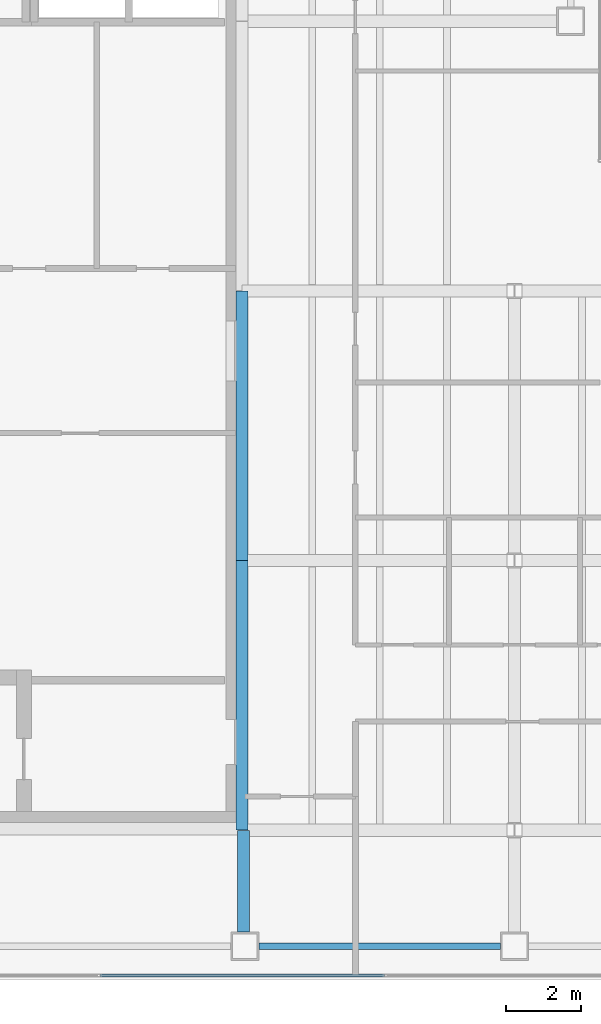
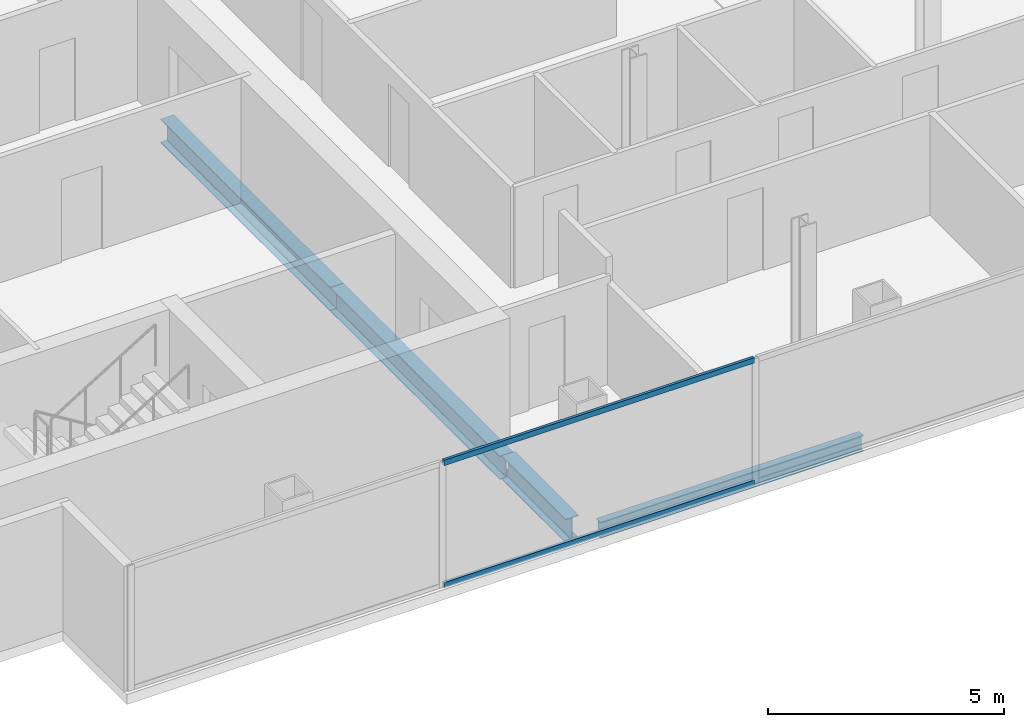
# One storey, part 3 of 23: 4 beams, 2 members, 1 element without a shape of its own.
"""IFC4 building model written with IfcOpenShell, lengths in metres."""

from ifc_helpers import new_model, si_unit, direction, frame, origin, origin_2d, place, context, subcontext, project, spatial, hollow_rectangle, i_section, extrude, material, material_profile, profile_set, type_object, element, aggregate, save


model = new_model("IFC4")

# Units and contexts
model_context = context("Model", 3, precision=1e-05, world=origin(), true_north=direction((0.0, 1.0)))
body_context = subcontext(model_context, "Body", "Model", "MODEL_VIEW")
ifc_project = project(units=[si_unit("LENGTHUNIT", "METRE"), si_unit("AREAUNIT", "SQUARE_METRE"), si_unit("VOLUMEUNIT", "CUBIC_METRE"), si_unit("PLANEANGLEUNIT", "RADIAN"), si_unit("MASSUNIT", "GRAM", prefix="KILO")], contexts=[model_context])

# Site, building, storey
site_placement = place(None, origin())
site = spatial("IfcSite", under=ifc_project, at=site_placement, CompositionType="ELEMENT")
building_placement = place(site_placement, origin())
building = spatial("IfcBuilding", under=site, at=building_placement, Name="Cobrela Telecom Tower", CompositionType="ELEMENT")
storey_placement = place(building_placement, frame((0.0, 0.0, 225.75)))
storey = spatial("IfcBuildingStorey", under=building, at=storey_placement, Name="L58", CompositionType="ELEMENT", Elevation=225.75)

# Beams
ifc_material_1 = material(Name="Steel ASTM A992 Grade 50", Category="steel")
ifc_material_profile_1 = material_profile(ifc_material_1, i_section(OverallWidth=0.324951171875, OverallDepth=0.612060546875, WebThickness=0.0126953125, FlangeThickness=0.01904296875, FilletRadius=0.014892578125, at=origin_2d()), Name="W24X104")
ifc_profile_set_1 = profile_set([ifc_material_profile_1], Name="Steel ASTM A992 Grade 50")
beam_type_1 = type_object("IfcBeamType", Name="BM-GIRD-07", PredefinedType="USERDEFINED", material=ifc_profile_set_1)
beam_1_placement = place(storey_placement, frame((14.360107421875, 4.47998046875, -0.56591796875), z_axis=(0.0, 1.0, 0.0), x_axis=(-1.0, 0.0, 0.0)))
element("IfcBeam", 1, at=beam_1_placement, inside=storey, type_object=beam_type_1, Name="L58 Primary Girder Y26", ObjectType="GIRDER", PredefinedType="USERDEFINED", context=body_context, shape_type="SweptSolid", body=[
    extrude(i_section(OverallWidth=0.324951171875, OverallDepth=0.612060546875, WebThickness=0.0126953125, FlangeThickness=0.01904296875, FilletRadius=0.014892578125, at=origin_2d()), origin(), (0.0, 0.0, 1.0), 2.715087890625),
])
for number, where, z_axis, x_axis, name in (
    (2, (14.320068359375, 7.205078125, -0.56591796875), (0.0, 1.0, 0.0), (-1.0, 0.0, 0.0), "L58 Primary Girder Y27"),
    (3, (14.320068359375, 14.405029296875, -0.56591796875), (0.0, 1.0, 0.0), (-1.0, 0.0, 0.0), "L58 Primary Girder Y28"),
):
    element("IfcBeam", number, at=place(storey_placement, frame(where, z_axis=z_axis, x_axis=x_axis)), inside=storey, type_object=beam_type_1, Name=name, ObjectType="GIRDER", PredefinedType="USERDEFINED", context=body_context, shape_type="SweptSolid", body=[
        extrude(i_section(OverallWidth=0.324951171875, OverallDepth=0.612060546875, WebThickness=0.0126953125, FlangeThickness=0.01904296875, FilletRadius=0.014892578125, at=origin_2d()), origin(), (0.0, 0.0, 1.0), 7.18994140625),
    ])
ifc_material_profile_2 = material_profile(ifc_material_1, i_section(OverallWidth=0.179931640625, OverallDepth=0.4169921875, WebThickness=0.010986328125, FlangeThickness=0.01806640625, FilletRadius=0.011962890625, at=origin_2d()), Name="W16X57")
ifc_profile_set_2 = profile_set([ifc_material_profile_2], Name="Steel ASTM A992 Grade 50")
beam_type_2 = type_object("IfcBeamType", Name="BM-SPAND-06", PredefinedType="SPANDREL", material=ifc_profile_set_2)
beam_2_placement = place(storey_placement, frame((14.780029296875, 4.10009765625, -0.468505859375), z_axis=(1.0, 0.0, 0.0), x_axis=(0.0, 1.0, 0.0)))
element("IfcBeam", 4, at=beam_2_placement, inside=storey, type_object=beam_type_2, Name="L58 Perimeter Spandrel X02", PredefinedType="SPANDREL", context=body_context, shape_type="SweptSolid", body=[
    extrude(i_section(OverallWidth=0.179931640625, OverallDepth=0.4169921875, WebThickness=0.010986328125, FlangeThickness=0.01806640625, FilletRadius=0.011962890625, at=origin_2d()), origin(), (0.0, 0.0, 1.0), 6.43994140625),
])

# Curtain wall, members
ifc_material_2 = material(Name="Anodized Bronze Aluminium 6063-T6", Category="aluminium")
curtain_wall_type = type_object("IfcCurtainWallType", Name="CW-SYS-OFF-LO", PredefinedType="USERDEFINED", material=ifc_material_2)
curtain_wall_placement = place(storey_placement, origin())
curtain_wall = element("IfcCurtainWall", 5, at=curtain_wall_placement, inside=storey, type_object=curtain_wall_type, Name="L58 Unitised Bronze Curtain Wall 17", ObjectType="UNITISED CURTAIN WALL", PredefinedType="USERDEFINED")
ifc_material_profile_3 = material_profile(ifc_material_2, hollow_rectangle(XDim=0.070068359375, YDim=0.139892578125, WallThickness=0.00390625, at=origin_2d()), Name="ALU 70x140x4")
ifc_profile_set_3 = profile_set([ifc_material_profile_3], Name="Anodized Bronze Aluminium 6063-T6")
member_type = type_object("IfcMemberType", Name="CW-SYS-OFF-LO-TRN", PredefinedType="USERDEFINED", material=ifc_profile_set_3)
member_1_placement = place(storey_placement, frame((18.131103515625, 3.320068359375, 0.034912109375), z_axis=(-1.0, 0.0, 0.0), x_axis=(0.0, -1.0, 0.0)))
member_1 = element("IfcMember", 6, at=member_1_placement, type_object=member_type, Name="CW-OFF-LO transom 4.1", ObjectType="TRANSOM", PredefinedType="USERDEFINED", context=body_context, shape_type="SweptSolid", body=[
    extrude(hollow_rectangle(XDim=0.070068359375, YDim=0.139892578125, WallThickness=0.00390625, at=origin_2d()), origin(), (0.0, 0.0, 1.0), 7.59814453125),
])
member_2_placement = place(storey_placement, frame((18.131103515625, 3.320068359375, 3.205078125), z_axis=(-1.0, 0.0, 0.0), x_axis=(0.0, -1.0, 0.0)))
member_2 = element("IfcMember", 7, at=member_2_placement, type_object=member_type, Name="CW-OFF-LO transom 4.2", ObjectType="TRANSOM", PredefinedType="USERDEFINED", context=body_context, shape_type="SweptSolid", body=[
    extrude(hollow_rectangle(XDim=0.070068359375, YDim=0.139892578125, WallThickness=0.00390625, at=origin_2d()), origin(), (0.0, 0.0, 1.0), 7.59814453125),
])
aggregate(curtain_wall, [member_1, member_2])

save(model, "model.ifc")
